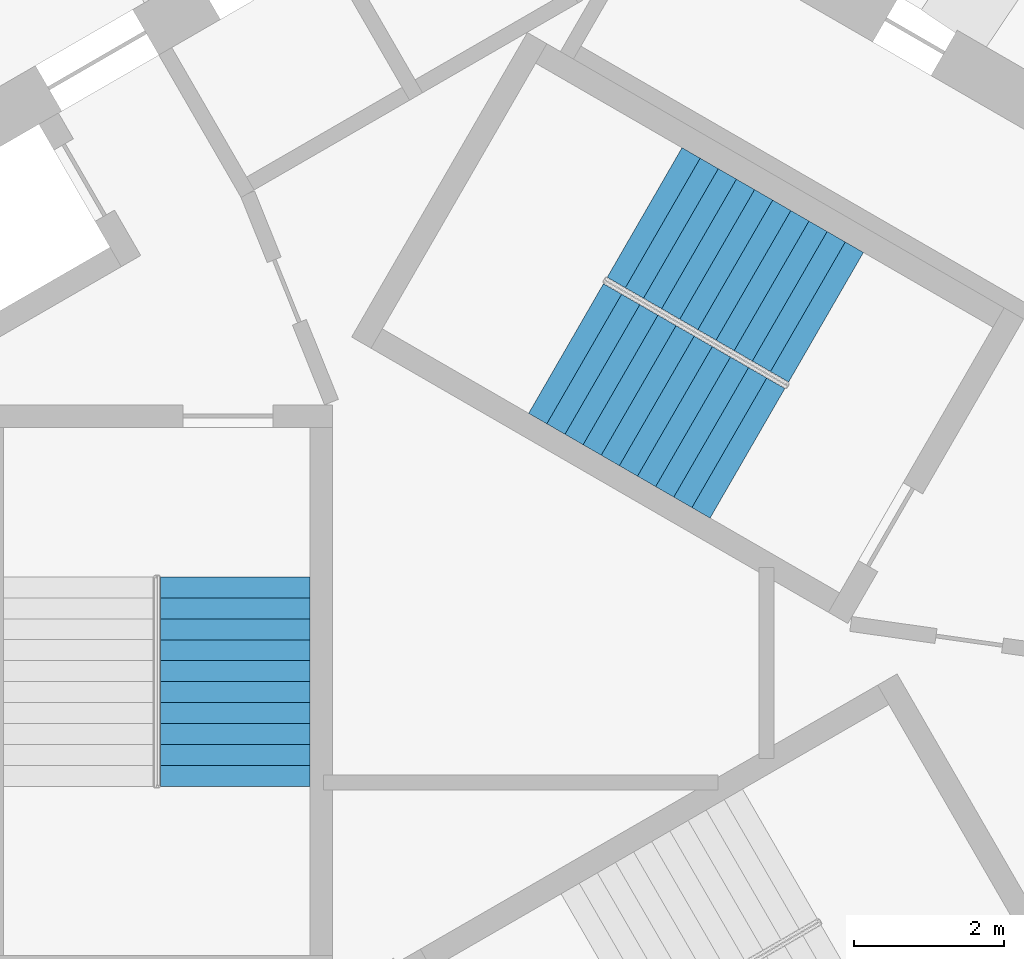
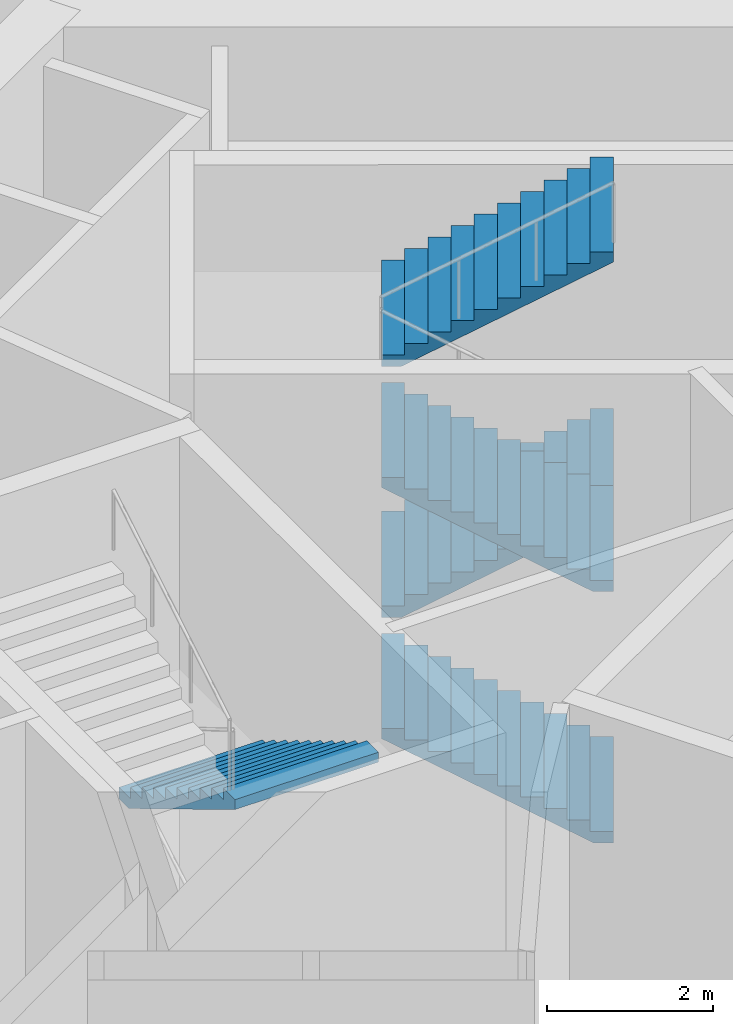
# One storey, part 12 of 16: 5 stair flights, 2 elements without a shape of their own.
"""IFC4 building model written with IfcOpenShell, lengths in metres."""

from ifc_helpers import new_model, si_unit, direction, frame, origin, place, context, subcontext, project, spatial, triangles, source, transform, mapped, material, type_object, element, aggregate, save


model = new_model("IFC4")

# Units and contexts
model_context = context("Model", 3, precision=1e-05, world=origin(), true_north=direction((0.0, 1.0)))
body_context = subcontext(model_context, "Body", "Model", "MODEL_VIEW")
ifc_project = project(units=[si_unit("LENGTHUNIT", "METRE"), si_unit("AREAUNIT", "SQUARE_METRE"), si_unit("VOLUMEUNIT", "CUBIC_METRE"), si_unit("PLANEANGLEUNIT", "RADIAN"), si_unit("MASSUNIT", "GRAM", prefix="KILO")], contexts=[model_context])

# Site, building, storey
site_placement = place(None, origin())
site = spatial("IfcSite", under=ifc_project, at=site_placement, CompositionType="ELEMENT")
building_placement = place(site_placement, origin())
building = spatial("IfcBuilding", under=site, at=building_placement, Name="Vanh Sen Convention Tower", CompositionType="ELEMENT")
storey_placement = place(building_placement, frame((0.0, 0.0, 278.300048828125)))
storey = spatial("IfcBuildingStorey", under=building, at=storey_placement, Name="L69", CompositionType="ELEMENT", Elevation=278.300048828125)

# Stair, stair flights
ifc_material_1 = material(Name="Concrete C50/60", Category="concrete")
stair_type_1 = type_object("IfcStairType", Name="Exit stair ST1 44 risers at 168.2", PredefinedType="HALF_TURN_STAIR", material=ifc_material_1)
stair_1_placement = place(storey_placement, origin())
stair_1 = element("IfcStair", 1, at=stair_1_placement, inside=storey, type_object=stair_type_1, Name="Exit stair ST1 L69", PredefinedType="HALF_TURN_STAIR")
ifc_material_2 = material(Name="Concrete C40/50", Category="concrete")
stair_flight_type = type_object("IfcStairFlightType", Name="Stair flight 2000", PredefinedType="STRAIGHT", material=ifc_material_2)
shared_shape = source(origin(), body_context, "Body", "Tessellation", [
    triangles([(0.24267578125, 1.0, 0.0), (0.0, 1.0, 0.0), (0.0, 1.0, 0.168212890625), (0.280029296875, 1.0, 0.168212890625), (0.280029296875, 1.0, 0.33642578125), (0.56005859375, 1.0, 0.33642578125), (0.56005859375, 1.0, 0.504638671875), (0.840087890625, 1.0, 0.504638671875), (0.840087890625, 1.0, 0.672607421875), (1.1201171875, 1.0, 0.672607421875), (1.1201171875, 1.0, 0.8408203125), (1.39990234375, 1.0, 0.8408203125), (1.39990234375, 1.0, 1.009033203125), (1.679931640625, 1.0, 1.009033203125), (1.679931640625, 1.0, 1.17724609375), (1.9599609375, 1.0, 1.17724609375), (1.9599609375, 1.0, 1.345458984375), (2.239990234375, 1.0, 1.345458984375), (2.239990234375, 1.0, 1.513671875), (2.52001953125, 1.0, 1.513671875), (2.52001953125, 1.0, 1.681884765625), (2.800048828125, 1.0, 1.681884765625), (2.800048828125, 1.0, 1.535888671875), (0.24267578125, -1.0, 0.0), (0.0, -1.0, 0.0), (0.0, -1.0, 0.168212890625), (0.280029296875, -1.0, 0.168212890625), (0.280029296875, -1.0, 0.33642578125), (0.56005859375, -1.0, 0.33642578125), (0.56005859375, -1.0, 0.504638671875), (0.840087890625, -1.0, 0.504638671875), (0.840087890625, -1.0, 0.672607421875), (1.1201171875, -1.0, 0.672607421875), (1.1201171875, -1.0, 0.8408203125), (1.39990234375, -1.0, 0.8408203125), (1.39990234375, -1.0, 1.009033203125), (1.679931640625, -1.0, 1.009033203125), (1.679931640625, -1.0, 1.17724609375), (1.9599609375, -1.0, 1.17724609375), (1.9599609375, -1.0, 1.345458984375), (2.239990234375, -1.0, 1.345458984375), (2.239990234375, -1.0, 1.513671875), (2.52001953125, -1.0, 1.513671875), (2.52001953125, -1.0, 1.681884765625), (2.800048828125, -1.0, 1.681884765625), (2.800048828125, -1.0, 1.535888671875), (0.0, 0.0400390625, 0.0), (0.0, 0.0390625, 0.0), (0.0, 0.0380859375, 0.0), (0.0, 0.037109375, 0.0), (0.0, 0.035888671875, 0.0), (0.0, 0.034912109375, 0.0), (0.0, 0.033935546875, 0.0), (0.0, 0.032958984375, 0.0), (0.0, 0.031982421875, 0.0), (0.0, 0.031005859375, 0.0), (0.0, 0.030029296875, 0.0), (0.0, 0.029052734375, 0.0), (0.0, 0.028076171875, 0.0), (0.0, 0.027099609375, 0.0), (0.0, 0.02587890625, 0.0), (0.0, 0.02490234375, 0.0), (0.0, 0.02392578125, 0.0), (0.0, 0.02294921875, 0.0), (0.0, 0.02197265625, 0.0), (0.0, 0.02099609375, 0.0), (0.0, 0.02001953125, 0.0), (0.0, 0.01904296875, 0.0), (0.0, 0.01806640625, 0.0), (0.0, 0.01708984375, 0.0), (0.0, 0.01611328125, 0.0), (0.0, 0.014892578125, 0.0), (0.0, 0.013916015625, 0.0), (0.0, 0.012939453125, 0.0), (0.0, 0.011962890625, 0.0), (0.0, 0.010986328125, 0.0), (0.0, 0.010009765625, 0.0), (0.0, 0.009033203125, 0.0), (0.0, 0.008056640625, 0.0), (0.0, 0.007080078125, 0.0), (0.0, 0.006103515625, 0.0), (0.0, 0.0048828125, 0.0), (0.0, 0.00390625, 0.0), (0.0, 0.0029296875, 0.0), (0.0, 0.001953125, 0.0), (0.0, 0.0009765625, 0.0), (0.0, 0.0, 0.0), (0.0, -0.0009765625, 0.0), (0.0, -0.001953125, 0.0), (0.0, -0.0029296875, 0.0), (0.0, -0.00390625, 0.0), (0.0, -0.0048828125, 0.0), (0.0, -0.006103515625, 0.0), (0.0, -0.007080078125, 0.0), (0.0, -0.008056640625, 0.0), (0.0, -0.009033203125, 0.0), (0.0, -0.010009765625, 0.0), (0.0, -0.010986328125, 0.0), (0.0, -0.011962890625, 0.0), (0.0, -0.012939453125, 0.0), (0.0, -0.013916015625, 0.0), (0.0, -0.014892578125, 0.0), (0.0, -0.01611328125, 0.0), (0.0, -0.01708984375, 0.0), (0.0, -0.01806640625, 0.0), (0.0, -0.01904296875, 0.0), (0.0, -0.02001953125, 0.0), (0.0, -0.02099609375, 0.0), (0.0, -0.02197265625, 0.0), (0.0, -0.02294921875, 0.0), (0.0, -0.02392578125, 0.0), (0.0, -0.02490234375, 0.0), (0.0, -0.02587890625, 0.0), (0.0, -0.027099609375, 0.0), (0.0, -0.028076171875, 0.0), (0.0, -0.029052734375, 0.0), (0.0, -0.030029296875, 0.0), (0.0, -0.031005859375, 0.0), (0.0, -0.031982421875, 0.0), (0.0, -0.032958984375, 0.0), (0.0, -0.033935546875, 0.0), (0.0, -0.034912109375, 0.0), (0.0, -0.035888671875, 0.0), (0.0, -0.037109375, 0.0), (0.0, -0.0380859375, 0.0), (0.0, -0.0390625, 0.0), (0.0, -0.0400390625, 0.0), (0.0, 0.0400390625, 0.168212890625), (0.0, 0.0390625, 0.168212890625), (0.0, 0.0380859375, 0.168212890625), (0.0, 0.037109375, 0.168212890625), (0.0, 0.035888671875, 0.168212890625), (0.0, 0.034912109375, 0.168212890625), (0.0, 0.033935546875, 0.168212890625), (0.0, 0.032958984375, 0.168212890625), (0.0, 0.031982421875, 0.168212890625), (0.0, 0.031005859375, 0.168212890625), (0.0, 0.030029296875, 0.168212890625), (0.0, 0.029052734375, 0.168212890625), (0.0, 0.028076171875, 0.168212890625), (0.0, 0.027099609375, 0.168212890625), (0.0, 0.02587890625, 0.168212890625), (0.0, 0.02490234375, 0.168212890625), (0.0, 0.02392578125, 0.168212890625), (0.0, 0.02294921875, 0.168212890625), (0.0, 0.02197265625, 0.168212890625), (0.0, 0.02099609375, 0.168212890625), (0.0, 0.02001953125, 0.168212890625), (0.0, 0.01904296875, 0.168212890625), (0.0, 0.01806640625, 0.168212890625), (0.0, 0.01708984375, 0.168212890625), (0.0, 0.01611328125, 0.168212890625), (0.0, 0.014892578125, 0.168212890625), (0.0, 0.013916015625, 0.168212890625), (0.0, 0.012939453125, 0.168212890625), (0.0, 0.011962890625, 0.168212890625), (0.0, 0.010986328125, 0.168212890625), (0.0, 0.010009765625, 0.168212890625), (0.0, 0.009033203125, 0.168212890625), (0.0, 0.008056640625, 0.168212890625), (0.0, 0.007080078125, 0.168212890625), (0.0, 0.006103515625, 0.168212890625), (0.0, 0.0048828125, 0.168212890625), (0.0, 0.00390625, 0.168212890625), (0.0, 0.0029296875, 0.168212890625), (0.0, 0.001953125, 0.168212890625), (0.0, 0.0009765625, 0.168212890625), (0.0, 0.0, 0.168212890625), (0.0, -0.0009765625, 0.168212890625), (0.0, -0.001953125, 0.168212890625), (0.0, -0.0029296875, 0.168212890625), (0.0, -0.00390625, 0.168212890625), (0.0, -0.0048828125, 0.168212890625), (0.0, -0.006103515625, 0.168212890625), (0.0, -0.007080078125, 0.168212890625), (0.0, -0.008056640625, 0.168212890625), (0.0, -0.009033203125, 0.168212890625), (0.0, -0.010009765625, 0.168212890625), (0.0, -0.010986328125, 0.168212890625), (0.0, -0.011962890625, 0.168212890625), (0.0, -0.012939453125, 0.168212890625), (0.0, -0.013916015625, 0.168212890625), (0.0, -0.014892578125, 0.168212890625), (0.0, -0.01611328125, 0.168212890625), (0.0, -0.01708984375, 0.168212890625), (0.0, -0.01806640625, 0.168212890625), (0.0, -0.01904296875, 0.168212890625), (0.0, -0.02001953125, 0.168212890625), (0.0, -0.02099609375, 0.168212890625), (0.0, -0.02197265625, 0.168212890625), (0.0, -0.02294921875, 0.168212890625), (0.0, -0.02392578125, 0.168212890625), (0.0, -0.02490234375, 0.168212890625), (0.0, -0.02587890625, 0.168212890625), (0.0, -0.027099609375, 0.168212890625), (0.0, -0.028076171875, 0.168212890625), (0.0, -0.029052734375, 0.168212890625), (0.0, -0.030029296875, 0.168212890625), (0.0, -0.031005859375, 0.168212890625), (0.0, -0.031982421875, 0.168212890625), (0.0, -0.032958984375, 0.168212890625), (0.0, -0.033935546875, 0.168212890625), (0.0, -0.034912109375, 0.168212890625), (0.0, -0.035888671875, 0.168212890625), (0.0, -0.037109375, 0.168212890625), (0.0, -0.0380859375, 0.168212890625), (0.0, -0.0390625, 0.168212890625), (0.0, -0.0400390625, 0.168212890625), (0.280029296875, 0.0, 0.168212890625), (0.280029296875, 0.0, 0.33642578125), (0.56005859375, 0.0, 0.33642578125), (0.56005859375, 0.0, 0.504638671875), (0.840087890625, 0.0, 0.504638671875), (0.840087890625, 0.0, 0.672607421875), (1.1201171875, 0.0, 0.672607421875), (1.1201171875, 0.0, 0.8408203125), (1.39990234375, 0.0, 0.8408203125), (1.39990234375, 0.0, 1.009033203125), (1.679931640625, 0.0, 1.009033203125), (1.679931640625, 0.0, 1.17724609375), (1.9599609375, 0.0, 1.17724609375), (1.9599609375, 0.0, 1.345458984375), (2.239990234375, 0.0, 1.345458984375), (2.239990234375, 0.0, 1.513671875), (2.52001953125, 0.0, 1.513671875), (2.52001953125, 0.0, 1.681884765625), (2.800048828125, 0.0400390625, 1.681884765625), (2.800048828125, 0.0390625, 1.681884765625), (2.800048828125, 0.0380859375, 1.681884765625), (2.800048828125, 0.037109375, 1.681884765625), (2.800048828125, 0.035888671875, 1.681884765625), (2.800048828125, 0.034912109375, 1.681884765625), (2.800048828125, 0.033935546875, 1.681884765625), (2.800048828125, 0.032958984375, 1.681884765625), (2.800048828125, 0.031982421875, 1.681884765625), (2.800048828125, 0.031005859375, 1.681884765625), (2.800048828125, 0.030029296875, 1.681884765625), (2.800048828125, 0.029052734375, 1.681884765625), (2.800048828125, 0.028076171875, 1.681884765625), (2.800048828125, 0.027099609375, 1.681884765625), (2.800048828125, 0.02587890625, 1.681884765625), (2.800048828125, 0.02490234375, 1.681884765625), (2.800048828125, 0.02392578125, 1.681884765625), (2.800048828125, 0.02294921875, 1.681884765625), (2.800048828125, 0.02197265625, 1.681884765625), (2.800048828125, 0.02099609375, 1.681884765625), (2.800048828125, 0.02001953125, 1.681884765625), (2.800048828125, 0.01904296875, 1.681884765625), (2.800048828125, 0.01806640625, 1.681884765625), (2.800048828125, 0.01708984375, 1.681884765625), (2.800048828125, 0.01611328125, 1.681884765625), (2.800048828125, 0.014892578125, 1.681884765625), (2.800048828125, 0.013916015625, 1.681884765625), (2.800048828125, 0.012939453125, 1.681884765625), (2.800048828125, 0.011962890625, 1.681884765625), (2.800048828125, 0.010986328125, 1.681884765625), (2.800048828125, 0.010009765625, 1.681884765625), (2.800048828125, 0.009033203125, 1.681884765625), (2.800048828125, 0.008056640625, 1.681884765625), (2.800048828125, 0.007080078125, 1.681884765625), (2.800048828125, 0.006103515625, 1.681884765625), (2.800048828125, 0.0048828125, 1.681884765625), (2.800048828125, 0.00390625, 1.681884765625), (2.800048828125, 0.0029296875, 1.681884765625), (2.800048828125, 0.001953125, 1.681884765625), (2.800048828125, 0.0009765625, 1.681884765625), (2.800048828125, 0.0, 1.681884765625), (2.800048828125, -0.0009765625, 1.681884765625), (2.800048828125, -0.001953125, 1.681884765625), (2.800048828125, -0.0029296875, 1.681884765625), (2.800048828125, -0.00390625, 1.681884765625), (2.800048828125, -0.0048828125, 1.681884765625), (2.800048828125, -0.006103515625, 1.681884765625), (2.800048828125, -0.007080078125, 1.681884765625), (2.800048828125, -0.008056640625, 1.681884765625), (2.800048828125, -0.009033203125, 1.681884765625), (2.800048828125, -0.010009765625, 1.681884765625), (2.800048828125, -0.010986328125, 1.681884765625), (2.800048828125, -0.011962890625, 1.681884765625), (2.800048828125, -0.012939453125, 1.681884765625), (2.800048828125, -0.013916015625, 1.681884765625), (2.800048828125, -0.014892578125, 1.681884765625), (2.800048828125, -0.01611328125, 1.681884765625), (2.800048828125, -0.01708984375, 1.681884765625), (2.800048828125, -0.01806640625, 1.681884765625), (2.800048828125, -0.01904296875, 1.681884765625), (2.800048828125, -0.02001953125, 1.681884765625), (2.800048828125, -0.02099609375, 1.681884765625), (2.800048828125, -0.02197265625, 1.681884765625), (2.800048828125, -0.02294921875, 1.681884765625), (2.800048828125, -0.02392578125, 1.681884765625), (2.800048828125, -0.02490234375, 1.681884765625), (2.800048828125, -0.02587890625, 1.681884765625), (2.800048828125, -0.027099609375, 1.681884765625), (2.800048828125, -0.028076171875, 1.681884765625), (2.800048828125, -0.029052734375, 1.681884765625), (2.800048828125, -0.030029296875, 1.681884765625), (2.800048828125, -0.031005859375, 1.681884765625), (2.800048828125, -0.031982421875, 1.681884765625), (2.800048828125, -0.032958984375, 1.681884765625), (2.800048828125, -0.033935546875, 1.681884765625), (2.800048828125, -0.034912109375, 1.681884765625), (2.800048828125, -0.035888671875, 1.681884765625), (2.800048828125, -0.037109375, 1.681884765625), (2.800048828125, -0.0380859375, 1.681884765625), (2.800048828125, -0.0390625, 1.681884765625), (2.800048828125, -0.0400390625, 1.681884765625), (2.800048828125, 0.0400390625, 1.535888671875), (2.800048828125, 0.0390625, 1.535888671875), (2.800048828125, 0.0380859375, 1.535888671875), (2.800048828125, 0.037109375, 1.535888671875), (2.800048828125, 0.035888671875, 1.535888671875), (2.800048828125, 0.034912109375, 1.535888671875), (2.800048828125, 0.033935546875, 1.535888671875), (2.800048828125, 0.032958984375, 1.535888671875), (2.800048828125, 0.031982421875, 1.535888671875), (2.800048828125, 0.031005859375, 1.535888671875), (2.800048828125, 0.030029296875, 1.535888671875), (2.800048828125, 0.029052734375, 1.535888671875), (2.800048828125, 0.028076171875, 1.535888671875), (2.800048828125, 0.027099609375, 1.535888671875), (2.800048828125, 0.02587890625, 1.535888671875), (2.800048828125, 0.02490234375, 1.535888671875), (2.800048828125, 0.02392578125, 1.535888671875), (2.800048828125, 0.02294921875, 1.535888671875), (2.800048828125, 0.02197265625, 1.535888671875), (2.800048828125, 0.02099609375, 1.535888671875), (2.800048828125, 0.02001953125, 1.535888671875), (2.800048828125, 0.01904296875, 1.535888671875), (2.800048828125, 0.01806640625, 1.535888671875), (2.800048828125, 0.01708984375, 1.535888671875), (2.800048828125, 0.01611328125, 1.535888671875), (2.800048828125, 0.014892578125, 1.535888671875), (2.800048828125, 0.013916015625, 1.535888671875), (2.800048828125, 0.012939453125, 1.535888671875), (2.800048828125, 0.011962890625, 1.535888671875), (2.800048828125, 0.010986328125, 1.535888671875), (2.800048828125, 0.010009765625, 1.535888671875), (2.800048828125, 0.009033203125, 1.535888671875), (2.800048828125, 0.008056640625, 1.535888671875), (2.800048828125, 0.007080078125, 1.535888671875), (2.800048828125, 0.006103515625, 1.535888671875), (2.800048828125, 0.0048828125, 1.535888671875), (2.800048828125, 0.00390625, 1.535888671875), (2.800048828125, 0.0029296875, 1.535888671875), (2.800048828125, 0.001953125, 1.535888671875), (2.800048828125, 0.0009765625, 1.535888671875), (2.800048828125, 0.0, 1.535888671875), (2.800048828125, -0.0009765625, 1.535888671875), (2.800048828125, -0.001953125, 1.535888671875), (2.800048828125, -0.0029296875, 1.535888671875), (2.800048828125, -0.00390625, 1.535888671875), (2.800048828125, -0.0048828125, 1.535888671875), (2.800048828125, -0.006103515625, 1.535888671875), (2.800048828125, -0.007080078125, 1.535888671875), (2.800048828125, -0.008056640625, 1.535888671875), (2.800048828125, -0.009033203125, 1.535888671875), (2.800048828125, -0.010009765625, 1.535888671875), (2.800048828125, -0.010986328125, 1.535888671875), (2.800048828125, -0.011962890625, 1.535888671875), (2.800048828125, -0.012939453125, 1.535888671875), (2.800048828125, -0.013916015625, 1.535888671875), (2.800048828125, -0.014892578125, 1.535888671875), (2.800048828125, -0.01611328125, 1.535888671875), (2.800048828125, -0.01708984375, 1.535888671875), (2.800048828125, -0.01806640625, 1.535888671875), (2.800048828125, -0.01904296875, 1.535888671875), (2.800048828125, -0.02001953125, 1.535888671875), (2.800048828125, -0.02099609375, 1.535888671875), (2.800048828125, -0.02197265625, 1.535888671875), (2.800048828125, -0.02294921875, 1.535888671875), (2.800048828125, -0.02392578125, 1.535888671875), (2.800048828125, -0.02490234375, 1.535888671875), (2.800048828125, -0.02587890625, 1.535888671875), (2.800048828125, -0.027099609375, 1.535888671875), (2.800048828125, -0.028076171875, 1.535888671875), (2.800048828125, -0.029052734375, 1.535888671875), (2.800048828125, -0.030029296875, 1.535888671875), (2.800048828125, -0.031005859375, 1.535888671875), (2.800048828125, -0.031982421875, 1.535888671875), (2.800048828125, -0.032958984375, 1.535888671875), (2.800048828125, -0.033935546875, 1.535888671875), (2.800048828125, -0.034912109375, 1.535888671875), (2.800048828125, -0.035888671875, 1.535888671875), (2.800048828125, -0.037109375, 1.535888671875), (2.800048828125, -0.0380859375, 1.535888671875), (2.800048828125, -0.0390625, 1.535888671875), (2.800048828125, -0.0400390625, 1.535888671875), (0.24267578125, 0.0, 0.0)], [[1, 2, 3], [1, 3, 4], [4, 5, 6], [1, 4, 6], [6, 7, 8], [1, 6, 8], [8, 9, 10], [1, 8, 10], [10, 11, 12], [1, 10, 12], [12, 13, 14], [1, 12, 14], [14, 15, 16], [1, 14, 16], [16, 17, 18], [1, 16, 18], [18, 19, 20], [1, 18, 20], [20, 21, 22], [1, 20, 22], [22, 23, 1], [24, 26, 25], [24, 27, 26], [27, 29, 28], [24, 29, 27], [29, 31, 30], [24, 31, 29], [31, 33, 32], [24, 33, 31], [33, 35, 34], [24, 35, 33], [35, 37, 36], [24, 37, 35], [37, 39, 38], [24, 39, 37], [39, 41, 40], [24, 41, 39], [41, 43, 42], [24, 43, 41], [43, 45, 44], [24, 45, 43], [45, 24, 46], [2, 128, 3], [2, 47, 128], [47, 129, 128], [47, 48, 129], [48, 130, 129], [48, 49, 130], [49, 131, 130], [49, 50, 131], [50, 132, 131], [50, 51, 132], [51, 133, 132], [51, 52, 133], [52, 134, 133], [52, 53, 134], [53, 135, 134], [53, 54, 135], [54, 136, 135], [54, 55, 136], [55, 137, 136], [55, 56, 137], [56, 138, 137], [56, 57, 138], [57, 139, 138], [57, 58, 139], [58, 140, 139], [58, 59, 140], [59, 141, 140], [59, 60, 141], [60, 142, 141], [60, 61, 142], [61, 143, 142], [61, 62, 143], [62, 144, 143], [62, 63, 144], [63, 145, 144], [63, 64, 145], [64, 146, 145], [64, 65, 146], [65, 147, 146], [65, 66, 147], [66, 148, 147], [66, 67, 148], [67, 149, 148], [67, 68, 149], [68, 150, 149], [68, 69, 150], [69, 151, 150], [69, 70, 151], [70, 152, 151], [70, 71, 152], [71, 153, 152], [71, 72, 153], [72, 154, 153], [72, 73, 154], [73, 155, 154], [73, 74, 155], [74, 156, 155], [74, 75, 156], [75, 157, 156], [75, 76, 157], [76, 158, 157], [76, 77, 158], [77, 159, 158], [77, 78, 159], [78, 160, 159], [78, 79, 160], [79, 161, 160], [79, 80, 161], [80, 162, 161], [80, 81, 162], [81, 163, 162], [81, 82, 163], [82, 164, 163], [82, 83, 164], [83, 165, 164], [83, 84, 165], [84, 166, 165], [84, 85, 166], [85, 167, 166], [85, 86, 167], [86, 168, 167], [86, 87, 168], [87, 88, 168], [168, 88, 169], [88, 89, 169], [169, 89, 170], [89, 90, 170], [170, 90, 171], [90, 91, 171], [171, 91, 172], [91, 92, 172], [172, 92, 173], [92, 93, 173], [173, 93, 174], [93, 94, 174], [174, 94, 175], [94, 95, 175], [175, 95, 176], [95, 96, 176], [176, 96, 177], [96, 97, 177], [177, 97, 178], [97, 98, 178], [178, 98, 179], [98, 99, 179], [179, 99, 180], [99, 100, 180], [180, 100, 181], [100, 101, 181], [181, 101, 182], [101, 102, 182], [182, 102, 183], [102, 103, 183], [183, 103, 184], [103, 104, 184], [184, 104, 185], [104, 105, 185], [185, 105, 186], [105, 106, 186], [186, 106, 187], [106, 107, 187], [187, 107, 188], [107, 108, 188], [188, 108, 189], [108, 109, 189], [189, 109, 190], [109, 110, 190], [190, 110, 191], [110, 111, 191], [191, 111, 192], [111, 112, 192], [192, 112, 193], [112, 113, 193], [193, 113, 194], [113, 114, 194], [194, 114, 195], [114, 115, 195], [195, 115, 196], [115, 116, 196], [196, 116, 197], [116, 117, 197], [197, 117, 198], [117, 118, 198], [198, 118, 199], [118, 119, 199], [199, 119, 200], [119, 120, 200], [200, 120, 201], [120, 121, 201], [201, 121, 202], [121, 122, 202], [202, 122, 203], [122, 123, 203], [203, 123, 204], [123, 124, 204], [204, 124, 205], [124, 125, 205], [205, 125, 206], [125, 126, 206], [206, 126, 207], [126, 127, 207], [207, 127, 208], [127, 25, 208], [208, 25, 26], [4, 3, 128], [4, 128, 129], [4, 129, 130], [4, 130, 131], [4, 131, 132], [4, 132, 133], [4, 133, 134], [4, 134, 135], [4, 135, 136], [4, 136, 137], [4, 137, 138], [4, 138, 139], [4, 139, 140], [4, 140, 141], [4, 141, 142], [4, 142, 143], [4, 143, 144], [4, 144, 145], [4, 145, 146], [4, 146, 147], [4, 147, 148], [4, 148, 149], [4, 149, 150], [4, 150, 151], [4, 151, 152], [4, 152, 153], [4, 153, 154], [4, 154, 155], [4, 155, 156], [4, 156, 157], [4, 157, 158], [4, 158, 159], [4, 159, 160], [4, 160, 161], [4, 161, 162], [4, 162, 163], [4, 163, 164], [4, 164, 165], [4, 165, 166], [4, 166, 167], [4, 167, 168], [27, 168, 169], [27, 169, 170], [27, 170, 171], [27, 171, 172], [27, 172, 173], [27, 173, 174], [27, 174, 175], [27, 175, 176], [27, 176, 177], [27, 177, 178], [27, 178, 179], [27, 179, 180], [27, 180, 181], [27, 181, 182], [27, 182, 183], [27, 183, 184], [27, 184, 185], [27, 185, 186], [27, 186, 187], [27, 187, 188], [27, 188, 189], [27, 189, 190], [27, 190, 191], [27, 191, 192], [27, 192, 193], [27, 193, 194], [27, 194, 195], [27, 195, 196], [27, 196, 197], [27, 197, 198], [27, 198, 199], [27, 199, 200], [27, 200, 201], [27, 201, 202], [27, 202, 203], [27, 203, 204], [27, 204, 205], [27, 205, 206], [27, 206, 207], [27, 207, 208], [27, 208, 26], [4, 168, 209], [27, 209, 168], [4, 210, 5], [4, 209, 210], [209, 27, 210], [210, 27, 28], [5, 211, 6], [5, 210, 211], [210, 28, 211], [211, 28, 29], [6, 212, 7], [6, 211, 212], [211, 29, 212], [212, 29, 30], [7, 213, 8], [7, 212, 213], [212, 30, 213], [213, 30, 31], [8, 214, 9], [8, 213, 214], [213, 31, 214], [214, 31, 32], [9, 215, 10], [9, 214, 215], [214, 32, 215], [215, 32, 33], [10, 216, 11], [10, 215, 216], [215, 33, 216], [216, 33, 34], [11, 217, 12], [11, 216, 217], [216, 34, 217], [217, 34, 35], [12, 218, 13], [12, 217, 218], [217, 35, 218], [218, 35, 36], [13, 219, 14], [13, 218, 219], [218, 36, 219], [219, 36, 37], [14, 220, 15], [14, 219, 220], [219, 37, 220], [220, 37, 38], [15, 221, 16], [15, 220, 221], [220, 38, 221], [221, 38, 39], [16, 222, 17], [16, 221, 222], [221, 39, 222], [222, 39, 40], [17, 223, 18], [17, 222, 223], [222, 40, 223], [223, 40, 41], [18, 224, 19], [18, 223, 224], [223, 41, 224], [224, 41, 42], [19, 225, 20], [19, 224, 225], [224, 42, 225], [225, 42, 43], [20, 226, 21], [20, 225, 226], [225, 43, 226], [226, 43, 44], [21, 227, 22], [21, 228, 227], [21, 229, 228], [21, 230, 229], [21, 231, 230], [21, 232, 231], [21, 233, 232], [21, 234, 233], [21, 235, 234], [21, 236, 235], [21, 237, 236], [21, 238, 237], [21, 239, 238], [21, 240, 239], [21, 241, 240], [21, 242, 241], [21, 243, 242], [21, 244, 243], [21, 245, 244], [21, 246, 245], [21, 247, 246], [21, 248, 247], [21, 249, 248], [21, 250, 249], [21, 251, 250], [21, 252, 251], [21, 253, 252], [21, 254, 253], [21, 255, 254], [21, 256, 255], [21, 257, 256], [21, 258, 257], [21, 259, 258], [21, 260, 259], [21, 261, 260], [21, 262, 261], [21, 263, 262], [21, 264, 263], [21, 265, 264], [21, 266, 265], [21, 267, 266], [44, 268, 267], [44, 269, 268], [44, 270, 269], [44, 271, 270], [44, 272, 271], [44, 273, 272], [44, 274, 273], [44, 275, 274], [44, 276, 275], [44, 277, 276], [44, 278, 277], [44, 279, 278], [44, 280, 279], [44, 281, 280], [44, 282, 281], [44, 283, 282], [44, 284, 283], [44, 285, 284], [44, 286, 285], [44, 287, 286], [44, 288, 287], [44, 289, 288], [44, 290, 289], [44, 291, 290], [44, 292, 291], [44, 293, 292], [44, 294, 293], [44, 295, 294], [44, 296, 295], [44, 297, 296], [44, 298, 297], [44, 299, 298], [44, 300, 299], [44, 301, 300], [44, 302, 301], [44, 303, 302], [44, 304, 303], [44, 305, 304], [44, 306, 305], [44, 307, 306], [44, 45, 307], [21, 226, 267], [44, 267, 226], [22, 308, 23], [22, 227, 308], [227, 309, 308], [227, 228, 309], [228, 310, 309], [228, 229, 310], [229, 311, 310], [229, 230, 311], [230, 312, 311], [230, 231, 312], [231, 313, 312], [231, 232, 313], [232, 314, 313], [232, 233, 314], [233, 315, 314], [233, 234, 315], [234, 316, 315], [234, 235, 316], [235, 317, 316], [235, 236, 317], [236, 318, 317], [236, 237, 318], [237, 319, 318], [237, 238, 319], [238, 320, 319], [238, 239, 320], [239, 321, 320], [239, 240, 321], [240, 322, 321], [240, 241, 322], [241, 323, 322], [241, 242, 323], [242, 324, 323], [242, 243, 324], [243, 325, 324], [243, 244, 325], [244, 326, 325], [244, 245, 326], [245, 327, 326], [245, 246, 327], [246, 328, 327], [246, 247, 328], [247, 329, 328], [247, 248, 329], [248, 330, 329], [248, 249, 330], [249, 331, 330], [249, 250, 331], [250, 332, 331], [250, 251, 332], [251, 333, 332], [251, 252, 333], [252, 334, 333], [252, 253, 334], [253, 335, 334], [253, 254, 335], [254, 336, 335], [254, 255, 336], [255, 337, 336], [255, 256, 337], [256, 338, 337], [256, 257, 338], [257, 339, 338], [257, 258, 339], [258, 340, 339], [258, 259, 340], [259, 341, 340], [259, 260, 341], [260, 342, 341], [260, 261, 342], [261, 343, 342], [261, 262, 343], [262, 344, 343], [262, 263, 344], [263, 345, 344], [263, 264, 345], [264, 346, 345], [264, 265, 346], [265, 347, 346], [265, 266, 347], [266, 348, 347], [266, 267, 348], [267, 268, 348], [348, 268, 349], [268, 269, 349], [349, 269, 350], [269, 270, 350], [350, 270, 351], [270, 271, 351], [351, 271, 352], [271, 272, 352], [352, 272, 353], [272, 273, 353], [353, 273, 354], [273, 274, 354], [354, 274, 355], [274, 275, 355], [355, 275, 356], [275, 276, 356], [356, 276, 357], [276, 277, 357], [357, 277, 358], [277, 278, 358], [358, 278, 359], [278, 279, 359], [359, 279, 360], [279, 280, 360], [360, 280, 361], [280, 281, 361], [361, 281, 362], [281, 282, 362], [362, 282, 363], [282, 283, 363], [363, 283, 364], [283, 284, 364], [364, 284, 365], [284, 285, 365], [365, 285, 366], [285, 286, 366], [366, 286, 367], [286, 287, 367], [367, 287, 368], [287, 288, 368], [368, 288, 369], [288, 289, 369], [369, 289, 370], [289, 290, 370], [370, 290, 371], [290, 291, 371], [371, 291, 372], [291, 292, 372], [372, 292, 373], [292, 293, 373], [373, 293, 374], [293, 294, 374], [374, 294, 375], [294, 295, 375], [375, 295, 376], [295, 296, 376], [376, 296, 377], [296, 297, 377], [377, 297, 378], [297, 298, 378], [378, 298, 379], [298, 299, 379], [379, 299, 380], [299, 300, 380], [380, 300, 381], [300, 301, 381], [381, 301, 382], [301, 302, 382], [382, 302, 383], [302, 303, 383], [383, 303, 384], [303, 304, 384], [384, 304, 385], [304, 305, 385], [385, 305, 386], [305, 306, 386], [386, 306, 387], [306, 307, 387], [387, 307, 388], [307, 45, 388], [388, 45, 46], [1, 23, 308], [1, 308, 309], [1, 309, 310], [1, 310, 311], [1, 311, 312], [1, 312, 313], [1, 313, 314], [1, 314, 315], [1, 315, 316], [1, 316, 317], [1, 317, 318], [1, 318, 319], [1, 319, 320], [1, 320, 321], [1, 321, 322], [1, 322, 323], [1, 323, 324], [1, 324, 325], [1, 325, 326], [1, 326, 327], [1, 327, 328], [1, 328, 329], [1, 329, 330], [1, 330, 331], [1, 331, 332], [1, 332, 333], [1, 333, 334], [1, 334, 335], [1, 335, 336], [1, 336, 337], [1, 337, 338], [1, 338, 339], [1, 339, 340], [1, 340, 341], [1, 341, 342], [1, 342, 343], [1, 343, 344], [1, 344, 345], [1, 345, 346], [1, 346, 347], [1, 347, 348], [24, 348, 349], [24, 349, 350], [24, 350, 351], [24, 351, 352], [24, 352, 353], [24, 353, 354], [24, 354, 355], [24, 355, 356], [24, 356, 357], [24, 357, 358], [24, 358, 359], [24, 359, 360], [24, 360, 361], [24, 361, 362], [24, 362, 363], [24, 363, 364], [24, 364, 365], [24, 365, 366], [24, 366, 367], [24, 367, 368], [24, 368, 369], [24, 369, 370], [24, 370, 371], [24, 371, 372], [24, 372, 373], [24, 373, 374], [24, 374, 375], [24, 375, 376], [24, 376, 377], [24, 377, 378], [24, 378, 379], [24, 379, 380], [24, 380, 381], [24, 381, 382], [24, 382, 383], [24, 383, 384], [24, 384, 385], [24, 385, 386], [24, 386, 387], [24, 387, 388], [24, 388, 46], [1, 348, 389], [24, 389, 348], [1, 47, 2], [1, 48, 47], [1, 49, 48], [1, 50, 49], [1, 51, 50], [1, 52, 51], [1, 53, 52], [1, 54, 53], [1, 55, 54], [1, 56, 55], [1, 57, 56], [1, 58, 57], [1, 59, 58], [1, 60, 59], [1, 61, 60], [1, 62, 61], [1, 63, 62], [1, 64, 63], [1, 65, 64], [1, 66, 65], [1, 67, 66], [1, 68, 67], [1, 69, 68], [1, 70, 69], [1, 71, 70], [1, 72, 71], [1, 73, 72], [1, 74, 73], [1, 75, 74], [1, 76, 75], [1, 77, 76], [1, 78, 77], [1, 79, 78], [1, 80, 79], [1, 81, 80], [1, 82, 81], [1, 83, 82], [1, 84, 83], [1, 85, 84], [1, 86, 85], [1, 87, 86], [24, 88, 87], [24, 89, 88], [24, 90, 89], [24, 91, 90], [24, 92, 91], [24, 93, 92], [24, 94, 93], [24, 95, 94], [24, 96, 95], [24, 97, 96], [24, 98, 97], [24, 99, 98], [24, 100, 99], [24, 101, 100], [24, 102, 101], [24, 103, 102], [24, 104, 103], [24, 105, 104], [24, 106, 105], [24, 107, 106], [24, 108, 107], [24, 109, 108], [24, 110, 109], [24, 111, 110], [24, 112, 111], [24, 113, 112], [24, 114, 113], [24, 115, 114], [24, 116, 115], [24, 117, 116], [24, 118, 117], [24, 119, 118], [24, 120, 119], [24, 121, 120], [24, 122, 121], [24, 123, 122], [24, 124, 123], [24, 125, 124], [24, 126, 125], [24, 127, 126], [24, 25, 127], [1, 389, 87], [24, 87, 389]], closed=True),
])
stair_flight_1_placement = place(storey_placement, frame((2.94580078125, 2.802490234375, 0.0), z_axis=(0.0, 0.0, 1.0), x_axis=(-0.866025403784, 0.5, 0.0)))
stair_flight_1 = element("IfcStairFlight", 2, at=stair_flight_1_placement, type_object=stair_flight_type, Name="ST1 flight 1", NumberOfRisers=11, NumberOfTreads=10, PredefinedType="STRAIGHT", RiserHeight=0.168181818, TreadLength=0.28, context=body_context, shape_type="MappedRepresentation", body=[
    mapped(shared_shape, transform((0.0, 0.0, 0.0))),
])
stair_flight_2_placement = place(storey_placement, frame((1.571044921875, 6.021240234375, 1.849853515625), z_axis=(0.0, 0.0, 1.0), x_axis=(0.866025403784, -0.5, 0.0)))
stair_flight_2 = element("IfcStairFlight", 3, at=stair_flight_2_placement, type_object=stair_flight_type, Name="ST1 flight 2", NumberOfRisers=11, NumberOfTreads=10, PredefinedType="STRAIGHT", RiserHeight=0.168181818, TreadLength=0.28, context=body_context, shape_type="MappedRepresentation", body=[
    mapped(shared_shape, transform((0.0, 0.0, 0.0))),
])
stair_flight_3_placement = place(storey_placement, frame((2.94580078125, 2.802490234375, 3.699951171875), z_axis=(0.0, 0.0, 1.0), x_axis=(-0.866025403784, 0.5, 0.0)))
stair_flight_3 = element("IfcStairFlight", 4, at=stair_flight_3_placement, type_object=stair_flight_type, Name="ST1 flight 3", NumberOfRisers=11, NumberOfTreads=10, PredefinedType="STRAIGHT", RiserHeight=0.168181818, TreadLength=0.28, context=body_context, shape_type="MappedRepresentation", body=[
    mapped(shared_shape, transform((0.0, 0.0, 0.0))),
])
stair_flight_4_placement = place(storey_placement, frame((1.571044921875, 6.021240234375, 5.550048828125), z_axis=(0.0, 0.0, 1.0), x_axis=(0.866025403784, -0.5, 0.0)))
stair_flight_4 = element("IfcStairFlight", 5, at=stair_flight_4_placement, type_object=stair_flight_type, Name="ST1 flight 4", NumberOfRisers=11, NumberOfTreads=10, PredefinedType="STRAIGHT", RiserHeight=0.168181818, TreadLength=0.28, context=body_context, shape_type="MappedRepresentation", body=[
    mapped(shared_shape, transform((0.0, 0.0, 0.0))),
])
aggregate(stair_1, [stair_flight_1, stair_flight_2, stair_flight_3, stair_flight_4])

# Stair, stair flight
stair_type_2 = type_object("IfcStairType", Name="Exit stair ST2 44 risers at 168.2", PredefinedType="HALF_TURN_STAIR", material=ifc_material_1)
stair_2_placement = place(storey_placement, origin())
stair_2 = element("IfcStair", 6, at=stair_2_placement, inside=storey, type_object=stair_type_2, Name="Exit stair ST2 L69", PredefinedType="HALF_TURN_STAIR")
stair_flight_5_placement = place(storey_placement, frame((-3.89990234375, 1.14990234375, 3.699951171875), z_axis=(0.0, 0.0, 1.0), x_axis=(0.0, -1.0, 0.0)))
stair_flight_5 = element("IfcStairFlight", 7, at=stair_flight_5_placement, type_object=stair_flight_type, Name="ST2 flight 3", NumberOfRisers=11, NumberOfTreads=10, PredefinedType="STRAIGHT", RiserHeight=0.168181818, TreadLength=0.28, context=body_context, shape_type="MappedRepresentation", body=[
    mapped(shared_shape, transform((0.0, 0.0, 0.0))),
])
aggregate(stair_2, [stair_flight_5])

save(model, "model.ifc")
